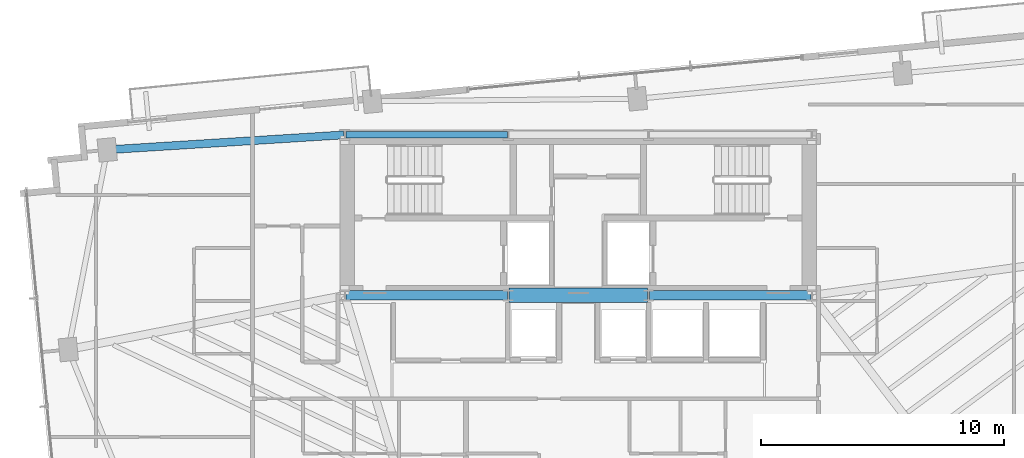
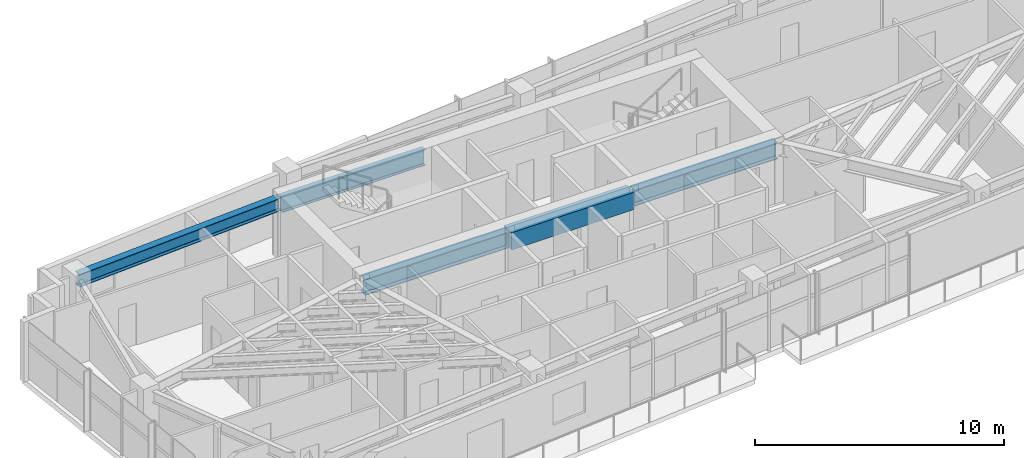
# One storey, part 5 of 18: 5 beams.
"""IFC4 building model written with IfcOpenShell, lengths in metres."""

from ifc_helpers import new_model, si_unit, direction, frame, origin, origin_2d, place, context, subcontext, project, spatial, rectangle, i_section, extrude, source, transform, mapped, material, material_profile, profile_set, type_object, type_shapes, element, save


model = new_model("IFC4")

# Units and contexts
model_context = context("Model", 3, precision=1e-05, world=origin(), true_north=direction((0.0, 1.0)))
body_context = subcontext(model_context, "Body", "Model", "MODEL_VIEW")
ifc_project = project(units=[si_unit("LENGTHUNIT", "METRE"), si_unit("AREAUNIT", "SQUARE_METRE"), si_unit("VOLUMEUNIT", "CUBIC_METRE"), si_unit("PLANEANGLEUNIT", "RADIAN"), si_unit("MASSUNIT", "GRAM", prefix="KILO")], contexts=[model_context])

# Site, building, storey
site_placement = place(None, origin())
site = spatial("IfcSite", under=ifc_project, at=site_placement, CompositionType="ELEMENT")
building_placement = place(site_placement, origin())
building = spatial("IfcBuilding", under=site, at=building_placement, Name="Astriad Promenade Condominiums", CompositionType="ELEMENT")
storey_placement = place(building_placement, frame((0.0, 0.0, 173.0)))
storey = spatial("IfcBuildingStorey", under=building, at=storey_placement, Name="L49", CompositionType="ELEMENT", Elevation=173.0)

# Beams
ifc_material_1 = material(Name="Steel ASTM A992 Grade 50", Category="steel")
ifc_material_profile_1 = material_profile(ifc_material_1, i_section(OverallWidth=0.3837890625, OverallDepth=0.785888671875, WebThickness=0.019775390625, FlangeThickness=0.033447265625, FilletRadius=0.021484375, at=origin_2d()), Name="W30X211")
ifc_profile_set_1 = profile_set([ifc_material_profile_1], Name="Steel ASTM A992 Grade 50")
beam_type_1 = type_object("IfcBeamType", Name="STEEL FLOOR GIRDER W30X211", PredefinedType="BEAM", material=ifc_profile_set_1)
shared_shape_1 = source(origin(), body_context, "Body", "SweptSolid", [
    extrude(i_section(OverallWidth=0.3837890625, OverallDepth=0.785888671875, WebThickness=0.019775390625, FlangeThickness=0.033447265625, FilletRadius=0.021484375, at=origin_2d()), origin(), (0.0, 0.0, 1.0), 6.64013671875),
])
type_shapes(beam_type_1, [shared_shape_1])
for number, where, z_axis, x_axis, name in (
    (1, (26.43994140625, 17.39990234375, 2.547119140625), (1.0, 0.0, 0.0), (0.0, 1.0, 0.0), "Core Ring Beam CG-S1-L49"),
    (2, (38.919921875, 17.39990234375, 2.547119140625), (1.0, 0.0, 0.0), (0.0, 1.0, 0.0), "Core Ring Beam CG-S3-L49"),
):
    element("IfcBeam", number, at=place(storey_placement, frame(where, z_axis=z_axis, x_axis=x_axis)), inside=storey, type_object=beam_type_1, Name=name, PredefinedType="BEAM", context=body_context, shape_type="MappedRepresentation", body=[
        mapped(shared_shape_1, transform((0.0, 0.0, 0.0), scale=1.0)),
    ])
ifc_material_profile_2 = material_profile(ifc_material_1, i_section(OverallWidth=0.267822265625, OverallDepth=0.76953125, WebThickness=0.015625, FlangeThickness=0.025390625, FilletRadius=0.021484375, at=origin_2d()), Name="W30X132")
ifc_profile_set_2 = profile_set([ifc_material_profile_2], Name="Steel ASTM A992 Grade 50")
beam_type_2 = type_object("IfcBeamType", Name="STEEL FLOOR GIRDER W30X132", PredefinedType="BEAM", material=ifc_profile_set_2)
shared_shape_2 = source(origin(), body_context, "Body", "SweptSolid", [
    extrude(i_section(OverallWidth=0.267822265625, OverallDepth=0.76953125, WebThickness=0.015625, FlangeThickness=0.025390625, FilletRadius=0.021484375, at=origin_2d()), origin(), (0.0, 0.0, 1.0), 6.64013671875),
])
type_shapes(beam_type_2, [shared_shape_2])
beam_1_placement = place(storey_placement, frame((26.43994140625, 24.0, 2.55517578125), z_axis=(1.0, 0.0, 0.0), x_axis=(0.0, 1.0, 0.0)))
element("IfcBeam", 3, at=beam_1_placement, inside=storey, type_object=beam_type_2, Name="Core Ring Beam CG-N1-L49", PredefinedType="BEAM", context=body_context, shape_type="MappedRepresentation", body=[
    mapped(shared_shape_2, transform((0.0, 0.0, 0.0), scale=1.0)),
])
ifc_material_2 = material(Name="Concrete C60/75", Category="concrete")
ifc_material_profile_3 = material_profile(ifc_material_2, rectangle(XDim=0.60009765625, YDim=0.85009765625, at=origin_2d()), Name="RC-BM-600X850")
ifc_profile_set_3 = profile_set([ifc_material_profile_3], Name="Concrete C60/75")
beam_type_3 = type_object("IfcBeamType", Name="CONCRETE CORE COUPLING LINTEL 600X850", PredefinedType="LINTEL", material=ifc_profile_set_3)
shared_shape_3 = source(origin(), body_context, "Body", "SweptSolid", [
    extrude(rectangle(XDim=0.60009765625, YDim=0.85009765625, at=origin_2d()), origin(), (0.0, 0.0, 1.0), 5.68017578125),
])
type_shapes(beam_type_3, [shared_shape_3])
beam_2_placement = place(storey_placement, frame((33.159912109375, 17.39990234375, 2.514892578125), z_axis=(1.0, 0.0, 0.0), x_axis=(0.0, 1.0, 0.0)))
element("IfcBeam", 4, at=beam_2_placement, inside=storey, type_object=beam_type_3, Name="Core Ring Beam CG-S2-L49", PredefinedType="LINTEL", context=body_context, shape_type="MappedRepresentation", body=[
    mapped(shared_shape_3, transform((0.0, 0.0, 0.0), scale=1.0)),
])
ifc_material_profile_4 = material_profile(ifc_material_1, i_section(OverallWidth=0.326416015625, OverallDepth=0.621826171875, WebThickness=0.015380859375, FlangeThickness=0.0244140625, FilletRadius=0.017822265625, at=origin_2d()), Name="W24X131")
ifc_profile_set_4 = profile_set([ifc_material_profile_4], Name="Steel ASTM A992 Grade 50")
beam_type_4 = type_object("IfcBeamType", Name="STEEL FLOOR GIRDER W24X131", PredefinedType="BEAM", material=ifc_profile_set_4)
shared_shape_4 = source(origin(), body_context, "Body", "SweptSolid", [
    extrude(i_section(OverallWidth=0.326416015625, OverallDepth=0.621826171875, WebThickness=0.015380859375, FlangeThickness=0.0244140625, FilletRadius=0.017822265625, at=origin_2d()), origin(), (0.0, 0.0, 1.0), 9.707275390625),
])
type_shapes(beam_type_4, [shared_shape_4])
beam_3_placement = place(storey_placement, frame((16.672119140625, 23.38671875, 2.629150390625), z_axis=(0.998018176507, 0.062926301034, 0.0), x_axis=(-0.062926301034, 0.998018176507, 0.0)))
element("IfcBeam", 5, at=beam_3_placement, inside=storey, type_object=beam_type_4, Name="Primary Floor Girder PG-NW-L49", PredefinedType="BEAM", context=body_context, shape_type="MappedRepresentation", body=[
    mapped(shared_shape_4, transform((0.0, 0.0, 0.0), scale=1.0)),
])

save(model, "model.ifc")
